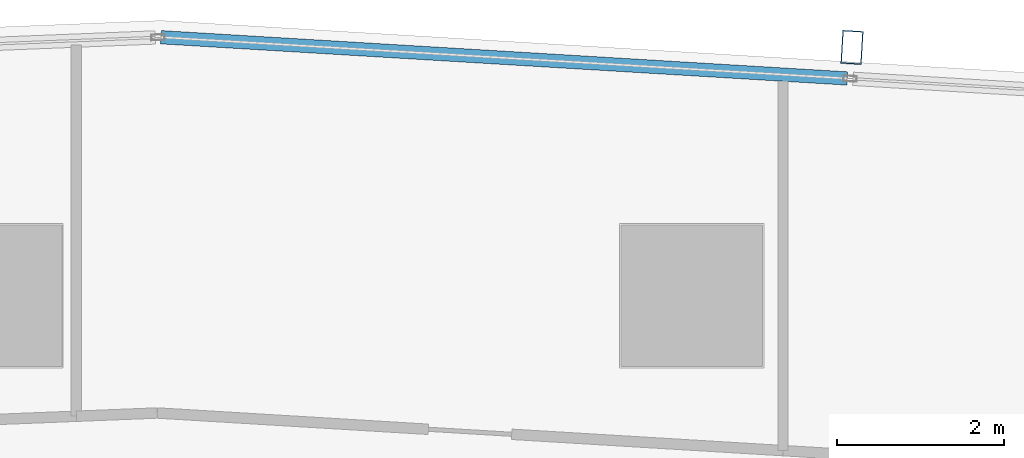
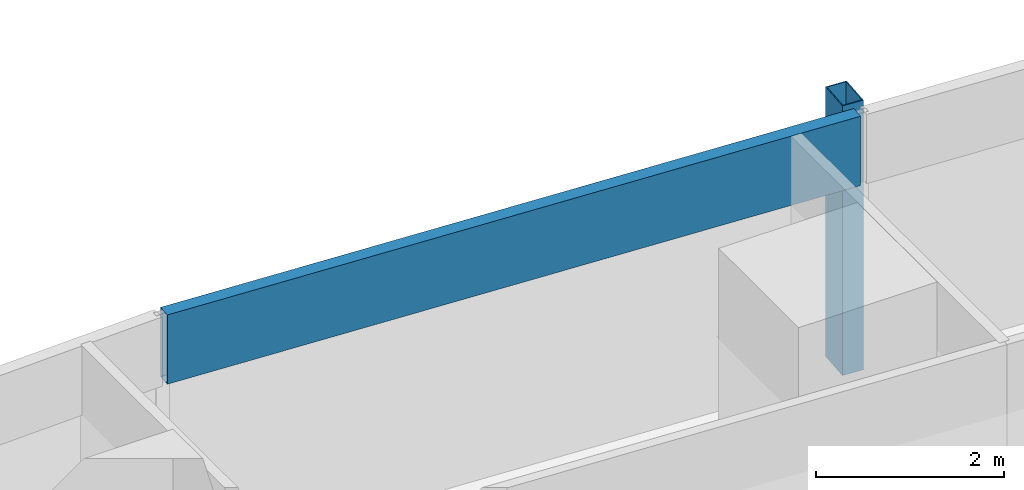
# One storey, part 22 of 40: 2 members, 1 element without a shape of its own.
"""IFC4 building model written with IfcOpenShell, lengths in metres."""

from ifc_helpers import new_model, si_unit, direction, frame, origin, origin_2d, place, context, subcontext, project, spatial, hollow_rectangle, extrude, material, material_profile, profile_set, type_object, element, aggregate, save


model = new_model("IFC4")

# Units and contexts
model_context = context("Model", 3, precision=1e-05, world=origin(), true_north=direction((0.0, 1.0)))
body_context = subcontext(model_context, "Body", "Model", "MODEL_VIEW")
ifc_project = project(units=[si_unit("LENGTHUNIT", "METRE"), si_unit("AREAUNIT", "SQUARE_METRE"), si_unit("VOLUMEUNIT", "CUBIC_METRE"), si_unit("PLANEANGLEUNIT", "RADIAN"), si_unit("MASSUNIT", "GRAM", prefix="KILO")], contexts=[model_context])

# Site, building, storey
site_placement = place(None, origin())
site = spatial("IfcSite", under=ifc_project, at=site_placement, CompositionType="ELEMENT")
building_placement = place(site_placement, origin())
building = spatial("IfcBuilding", under=site, at=building_placement, Name="Rekha Terrace Tower", CompositionType="ELEMENT")
storey_placement = place(building_placement, frame((0.0, 0.0, 102.800048828125)))
storey = spatial("IfcBuildingStorey", under=building, at=storey_placement, Name="L25", CompositionType="ELEMENT", Elevation=102.800048828125)

# Curtain wall, members
ifc_material_1 = material(Name="Aluminium framing", Category="aluminium")
curtain_wall_type = type_object("IfcCurtainWallType", Name="CW3 north unitised glazing", PredefinedType="USERDEFINED", material=ifc_material_1)
curtain_wall_placement = place(storey_placement, origin())
curtain_wall = element("IfcCurtainWall", 1, at=curtain_wall_placement, inside=storey, type_object=curtain_wall_type, Name="CW3 unitised curtain wall", ObjectType="UNITISED CURTAIN WALL", PredefinedType="USERDEFINED")
ifc_material_2 = material(Name="Steel S355 with fluorocarbon finish", Category="steel")
ifc_material_profile_1 = material_profile(ifc_material_2, hollow_rectangle(XDim=0.25, YDim=0.39990234375, WallThickness=0.012451171875, at=origin_2d()), Name="RHS400x250x12.5")
ifc_profile_set_1 = profile_set([ifc_material_profile_1], Name="Steel S355 with fluorocarbon finish")
member_type_1 = type_object("IfcMemberType", Name="BL1 facade blade RHS 400 x 250", PredefinedType="USERDEFINED", material=ifc_profile_set_1)
member_1_placement = place(storey_placement, frame((52.322265625, 61.777587890625, 0.0), z_axis=(0.0, 0.0, 1.0), x_axis=(-0.998199123409, 0.059987582268, 0.0)))
member_1 = element("IfcMember", 2, at=member_1_placement, type_object=member_type_1, Name="Facade blade", ObjectType="FACADE BLADE", PredefinedType="USERDEFINED", context=body_context, shape_type="SweptSolid", body=[
    extrude(hollow_rectangle(XDim=0.25, YDim=0.39990234375, WallThickness=0.012451171875, at=origin_2d()), origin(), (0.0, 0.0, 1.0), 3.5),
])
ifc_material_3 = material(Name="Insulated aluminium spandrel box", Category="aluminium")
ifc_material_profile_2 = material_profile(ifc_material_3, hollow_rectangle(XDim=0.159912109375, YDim=0.89990234375, WallThickness=0.0029296875, at=origin_2d()), Name="AL SPANDREL BOX 160x900")
ifc_profile_set_2 = profile_set([ifc_material_profile_2], Name="Insulated aluminium spandrel box")
member_type_2 = type_object("IfcMemberType", Name="CW3 spandrel transom 160 x 900", PredefinedType="USERDEFINED", material=ifc_profile_set_2)
member_2_placement = place(storey_placement, frame((52.2646484375, 61.4052734375, 3.050048828125), z_axis=(-0.998199102701, 0.059987926845, 0.0), x_axis=(-0.059987926845, -0.998199102701, 0.0)))
member_2 = element("IfcMember", 3, at=member_2_placement, type_object=member_type_2, Name="CW3 spandrel transom 3", ObjectType="TRANSOM", PredefinedType="USERDEFINED", context=body_context, shape_type="SweptSolid", body=[
    extrude(hollow_rectangle(XDim=0.159912109375, YDim=0.89990234375, WallThickness=0.0029296875, at=origin_2d()), origin(), (0.0, 0.0, 1.0), 8.241455078125),
])
aggregate(curtain_wall, [member_2, member_1])

save(model, "model.ifc")
